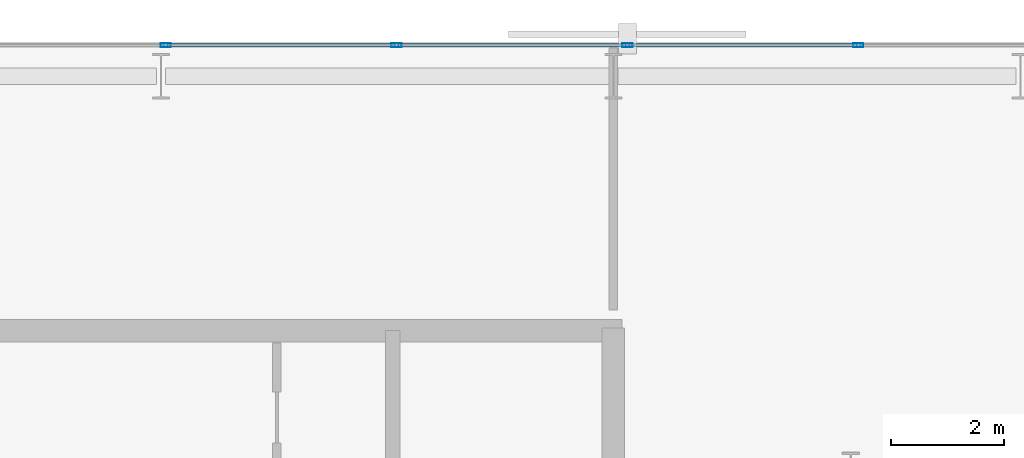
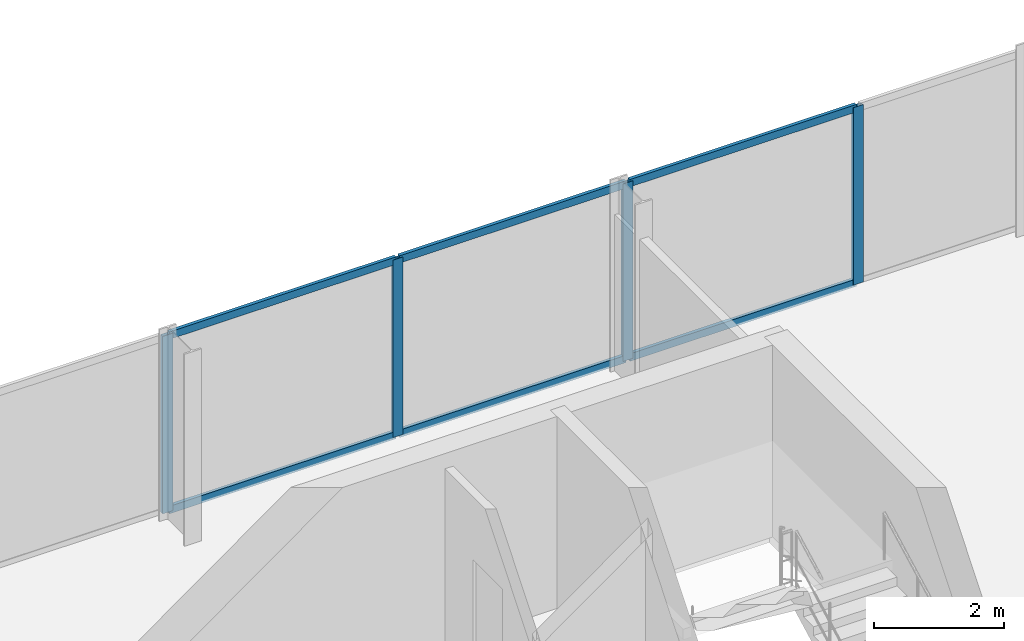
# One storey, part 26 of 33: 10 members, 1 element without a shape of its own.
"""IFC4 building model written with IfcOpenShell, lengths in metres."""

from ifc_helpers import new_model, si_unit, direction, frame, origin, origin_2d, place, context, subcontext, project, spatial, hollow_rectangle, extrude, material, layer, layer_set, material_profile, profile_set, type_object, element, aggregate, save


model = new_model("IFC4")

# Units and contexts
model_context = context("Model", 3, precision=1e-05, world=origin(), true_north=direction((0.0, 1.0)))
body_context = subcontext(model_context, "Body", "Model", "MODEL_VIEW")
ifc_project = project(units=[si_unit("LENGTHUNIT", "METRE"), si_unit("AREAUNIT", "SQUARE_METRE"), si_unit("VOLUMEUNIT", "CUBIC_METRE"), si_unit("PLANEANGLEUNIT", "RADIAN"), si_unit("MASSUNIT", "GRAM", prefix="KILO")], contexts=[model_context])

# Site, building, storey
site_placement = place(None, origin())
site = spatial("IfcSite", under=ifc_project, at=site_placement, CompositionType="ELEMENT")
building_placement = place(site_placement, origin())
building = spatial("IfcBuilding", under=site, at=building_placement, Name="Catumbela Crestline Tower", CompositionType="ELEMENT")
storey_placement = place(building_placement, frame((0.0, 0.0, 51.0)))
storey = spatial("IfcBuildingStorey", under=building, at=storey_placement, Name="L12", CompositionType="ELEMENT", Elevation=51.0)

# Curtain wall, members
ifc_material = material(Name="Aluminium alloy AW-6060-T66", Category="aluminium")
ifc_layer = layer(ifc_material, 0.18, Name="Aluminium alloy AW-6060-T66")
ifc_layer_set = layer_set([ifc_layer], Name="Aluminium alloy AW-6060-T66")
curtain_wall_type = type_object("IfcCurtainWallType", Name="CWU-Z1", PredefinedType="USERDEFINED", material=ifc_layer_set)
curtain_wall_placement = place(storey_placement, origin())
curtain_wall = element("IfcCurtainWall", 1, at=curtain_wall_placement, inside=storey, type_object=curtain_wall_type, Name="L12 Unitised Curtain Wall CW-L12-E7S1", ObjectType="UNITISED", PredefinedType="USERDEFINED")
ifc_material_profile_1 = material_profile(ifc_material, hollow_rectangle(XDim=0.065, YDim=0.18, WallThickness=0.004, at=origin_2d()), Name="ALU 180x65x4")
ifc_profile_set_1 = profile_set([ifc_material_profile_1], Name="Aluminium alloy AW-6060-T66")
member_type_1 = type_object("IfcMemberType", Name="MUL-180X65", PredefinedType="MULLION", material=ifc_profile_set_1)
member_1_placement = place(storey_placement, frame((44.3333, 47.95, 0.0), z_axis=(0.0, 0.0, 1.0), x_axis=(0.0, -1.0, 0.0)))
member_1 = element("IfcMember", 2, at=member_1_placement, type_object=member_type_1, Name="CWU-Z1 mullion 3", PredefinedType="MULLION", context=body_context, shape_type="SweptSolid", body=[
    extrude(hollow_rectangle(XDim=0.065, YDim=0.18, WallThickness=0.004, at=origin_2d()), origin(), (0.0, 0.0, 1.0), 3.33),
])
member_2_placement = place(storey_placement, frame((40.25, 47.95, 0.0), z_axis=(0.0, 0.0, 1.0), x_axis=(0.0, -1.0, 0.0)))
member_2 = element("IfcMember", 3, at=member_2_placement, type_object=member_type_1, Name="CWU-Z1 mullion 4", PredefinedType="MULLION", context=body_context, shape_type="SweptSolid", body=[
    extrude(hollow_rectangle(XDim=0.065, YDim=0.18, WallThickness=0.004, at=origin_2d()), origin(), (0.0, 0.0, 1.0), 3.33),
])
member_3_placement = place(storey_placement, frame((36.1667, 47.95, 0.0), z_axis=(0.0, 0.0, 1.0), x_axis=(0.0, -1.0, 0.0)))
member_3 = element("IfcMember", 4, at=member_3_placement, type_object=member_type_1, Name="CWU-Z1 mullion 5", PredefinedType="MULLION", context=body_context, shape_type="SweptSolid", body=[
    extrude(hollow_rectangle(XDim=0.065, YDim=0.18, WallThickness=0.004, at=origin_2d()), origin(), (0.0, 0.0, 1.0), 3.33),
])
member_4_placement = place(storey_placement, frame((32.0833, 47.95, 0.0), z_axis=(0.0, 0.0, 1.0), x_axis=(0.0, -1.0, 0.0)))
member_4 = element("IfcMember", 5, at=member_4_placement, type_object=member_type_1, Name="CWU-Z1 mullion 6", PredefinedType="MULLION", context=body_context, shape_type="SweptSolid", body=[
    extrude(hollow_rectangle(XDim=0.065, YDim=0.18, WallThickness=0.004, at=origin_2d()), origin(), (0.0, 0.0, 1.0), 3.33),
])
ifc_material_profile_2 = material_profile(ifc_material, hollow_rectangle(XDim=0.06, YDim=0.14, WallThickness=0.004, at=origin_2d()), Name="ALU 140x60x4")
ifc_profile_set_2 = profile_set([ifc_material_profile_2], Name="Aluminium alloy AW-6060-T66")
member_type_2 = type_object("IfcMemberType", Name="TRN-140X60", PredefinedType="USERDEFINED", material=ifc_profile_set_2)
member_5_placement = place(storey_placement, frame((44.3008, 47.95, 0.03), z_axis=(-1.0, 0.0, 0.0), x_axis=(0.0, -1.0, 0.0)))
member_5 = element("IfcMember", 6, at=member_5_placement, type_object=member_type_2, Name="CWU-Z1 transom 3.1", ObjectType="TRANSOM", PredefinedType="USERDEFINED", context=body_context, shape_type="SweptSolid", body=[
    extrude(hollow_rectangle(XDim=0.06, YDim=0.14, WallThickness=0.004, at=origin_2d()), origin(), (0.0, 0.0, 1.0), 4.0183),
])
member_6_placement = place(storey_placement, frame((44.3008, 47.95, 3.3), z_axis=(-1.0, 0.0, 0.0), x_axis=(0.0, -1.0, 0.0)))
member_6 = element("IfcMember", 7, at=member_6_placement, type_object=member_type_2, Name="CWU-Z1 transom 3.2", ObjectType="TRANSOM", PredefinedType="USERDEFINED", context=body_context, shape_type="SweptSolid", body=[
    extrude(hollow_rectangle(XDim=0.06, YDim=0.14, WallThickness=0.004, at=origin_2d()), origin(), (0.0, 0.0, 1.0), 4.0183),
])
member_7_placement = place(storey_placement, frame((40.2175, 47.95, 0.03), z_axis=(-1.0, 0.0, 0.0), x_axis=(0.0, -1.0, 0.0)))
member_7 = element("IfcMember", 8, at=member_7_placement, type_object=member_type_2, Name="CWU-Z1 transom 4.1", ObjectType="TRANSOM", PredefinedType="USERDEFINED", context=body_context, shape_type="SweptSolid", body=[
    extrude(hollow_rectangle(XDim=0.06, YDim=0.14, WallThickness=0.004, at=origin_2d()), origin(), (0.0, 0.0, 1.0), 4.0183),
])
member_8_placement = place(storey_placement, frame((40.2175, 47.95, 3.3), z_axis=(-1.0, 0.0, 0.0), x_axis=(0.0, -1.0, 0.0)))
member_8 = element("IfcMember", 9, at=member_8_placement, type_object=member_type_2, Name="CWU-Z1 transom 4.2", ObjectType="TRANSOM", PredefinedType="USERDEFINED", context=body_context, shape_type="SweptSolid", body=[
    extrude(hollow_rectangle(XDim=0.06, YDim=0.14, WallThickness=0.004, at=origin_2d()), origin(), (0.0, 0.0, 1.0), 4.0183),
])
member_9_placement = place(storey_placement, frame((36.1342, 47.95, 0.03), z_axis=(-1.0, 0.0, 0.0), x_axis=(0.0, -1.0, 0.0)))
member_9 = element("IfcMember", 10, at=member_9_placement, type_object=member_type_2, Name="CWU-Z1 transom 5.1", ObjectType="TRANSOM", PredefinedType="USERDEFINED", context=body_context, shape_type="SweptSolid", body=[
    extrude(hollow_rectangle(XDim=0.06, YDim=0.14, WallThickness=0.004, at=origin_2d()), origin(), (0.0, 0.0, 1.0), 4.0184),
])
member_10_placement = place(storey_placement, frame((36.1342, 47.95, 3.3), z_axis=(-1.0, 0.0, 0.0), x_axis=(0.0, -1.0, 0.0)))
member_10 = element("IfcMember", 11, at=member_10_placement, type_object=member_type_2, Name="CWU-Z1 transom 5.2", ObjectType="TRANSOM", PredefinedType="USERDEFINED", context=body_context, shape_type="SweptSolid", body=[
    extrude(hollow_rectangle(XDim=0.06, YDim=0.14, WallThickness=0.004, at=origin_2d()), origin(), (0.0, 0.0, 1.0), 4.0184),
])
aggregate(curtain_wall, [member_1, member_2, member_3, member_4, member_5, member_6, member_7, member_8, member_9, member_10])

save(model, "model.ifc")
